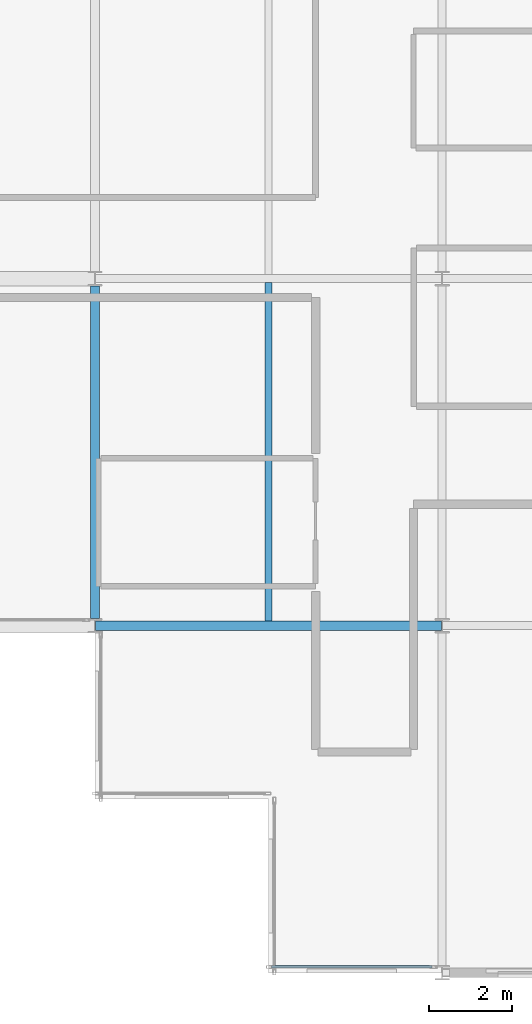
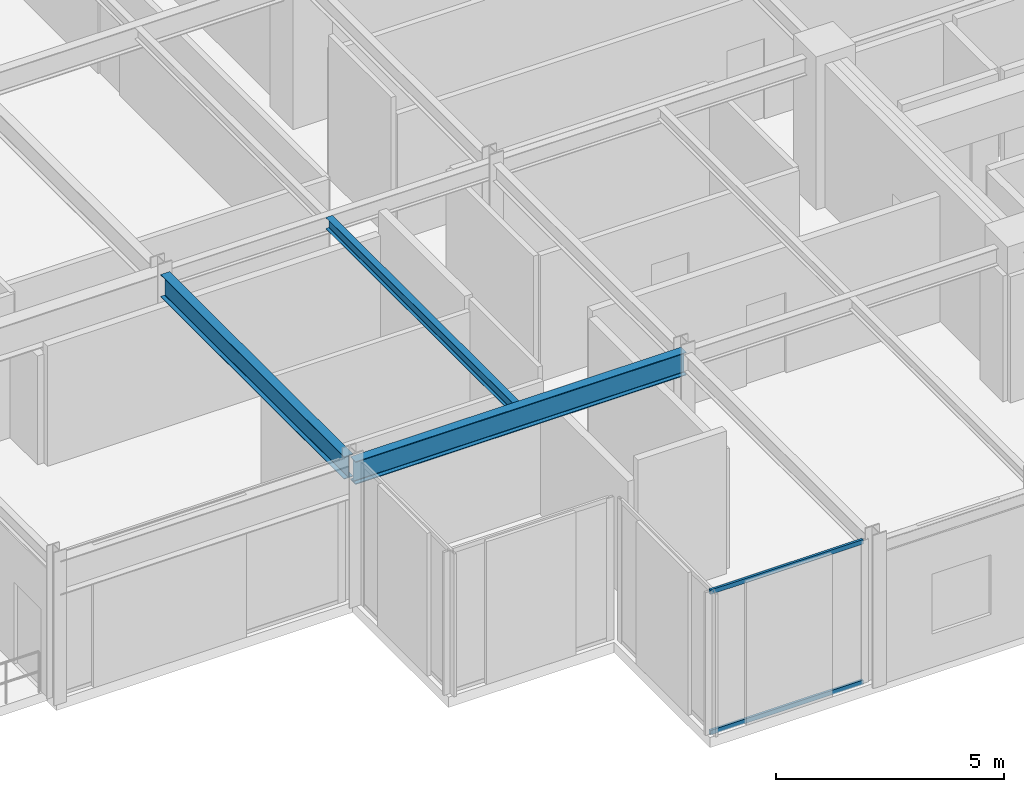
# One storey, part 5 of 29: 3 beams, 2 members, 1 element without a shape of its own.
"""IFC4 building model written with IfcOpenShell, lengths in metres."""

from ifc_helpers import new_model, si_unit, direction, frame, origin, origin_2d, place, context, subcontext, project, spatial, hollow_rectangle, i_section, extrude, material, layer, layer_set, material_profile, profile_set, type_object, element, aggregate, save


model = new_model("IFC4")

# Units and contexts
model_context = context("Model", 3, precision=1e-05, world=origin(), true_north=direction((0.0, 1.0)))
body_context = subcontext(model_context, "Body", "Model", "MODEL_VIEW")
ifc_project = project(units=[si_unit("LENGTHUNIT", "METRE"), si_unit("AREAUNIT", "SQUARE_METRE"), si_unit("VOLUMEUNIT", "CUBIC_METRE"), si_unit("PLANEANGLEUNIT", "RADIAN"), si_unit("MASSUNIT", "GRAM", prefix="KILO")], contexts=[model_context])

# Site, building, storey
site_placement = place(None, origin())
site = spatial("IfcSite", under=ifc_project, at=site_placement, CompositionType="ELEMENT")
building_placement = place(site_placement, origin())
building = spatial("IfcBuilding", under=site, at=building_placement, Name="Nerrivon Quay Data Exchange", CompositionType="ELEMENT")
storey_placement = place(building_placement, frame((0.0, 0.0, 200.10009765625)))
storey = spatial("IfcBuildingStorey", under=building, at=storey_placement, Name="L47", CompositionType="ELEMENT", Elevation=200.10009765625)

# Beams
ifc_material_1 = material(Name="Steel Grade 350", Category="steel")
ifc_material_profile_1 = material_profile(ifc_material_1, i_section(OverallWidth=0.22900390625, OverallDepth=0.612060546875, WebThickness=0.011962890625, FlangeThickness=0.01953125, FilletRadius=0.013916015625, at=origin_2d()), Name="610UB125")
ifc_profile_set_1 = profile_set([ifc_material_profile_1], Name="Steel Grade 350")
beam_type_1 = type_object("IfcBeamType", Name="BM-G1-610UB125", PredefinedType="BEAM", material=ifc_profile_set_1)
beam_1_placement = place(storey_placement, frame((0.010009765625, 8.39990234375, 3.518798828125), z_axis=(1.0, 0.0, 0.0), x_axis=(0.0, 1.0, 0.0)))
element("IfcBeam", 1, at=beam_1_placement, inside=storey, type_object=beam_type_1, Name="L47 EW Girder Y=8.4 (0.0..8.4)", PredefinedType="BEAM", context=body_context, shape_type="SweptSolid", body=[
    extrude(i_section(OverallWidth=0.22900390625, OverallDepth=0.612060546875, WebThickness=0.011962890625, FlangeThickness=0.01953125, FilletRadius=0.013916015625, at=origin_2d()), origin(), (0.0, 0.0, 1.0), 8.3798828125),
])
ifc_material_profile_2 = material_profile(ifc_material_1, i_section(OverallWidth=0.22802734375, OverallDepth=0.60205078125, WebThickness=0.010498046875, FlangeThickness=0.014892578125, FilletRadius=0.013916015625, at=origin_2d()), Name="610UB101")
ifc_profile_set_2 = profile_set([ifc_material_profile_2], Name="Steel Grade 350")
beam_type_2 = type_object("IfcBeamType", Name="BM-G2-610UB101", PredefinedType="BEAM", material=ifc_profile_set_2)
beam_2_placement = place(storey_placement, frame((0.0, 8.574951171875, 3.52392578125), z_axis=(0.0, 1.0, 0.0), x_axis=(-1.0, 0.0, 0.0)))
element("IfcBeam", 2, at=beam_2_placement, inside=storey, type_object=beam_type_2, Name="L47 NS Girder X=0.0 (8.4..16.8)", PredefinedType="BEAM", context=body_context, shape_type="SweptSolid", body=[
    extrude(i_section(OverallWidth=0.22802734375, OverallDepth=0.60205078125, WebThickness=0.010498046875, FlangeThickness=0.014892578125, FilletRadius=0.013916015625, at=origin_2d()), origin(), (0.0, 0.0, 1.0), 8.050048828125),
])
ifc_material_profile_3 = material_profile(ifc_material_1, i_section(OverallWidth=0.166015625, OverallDepth=0.306884765625, WebThickness=0.006591796875, FlangeThickness=0.01171875, FilletRadius=0.011474609375, at=origin_2d()), Name="310UB46.2")
ifc_profile_set_3 = profile_set([ifc_material_profile_3], Name="Steel Grade 350")
beam_type_3 = type_object("IfcBeamType", Name="BM-J5-310UB46", PredefinedType="JOIST", material=ifc_profile_set_3)
beam_3_placement = place(storey_placement, frame((4.199951171875, 8.514404296875, 3.67138671875), z_axis=(0.0, 1.0, 0.0), x_axis=(-1.0, 0.0, 0.0)))
element("IfcBeam", 3, at=beam_3_placement, inside=storey, type_object=beam_type_3, Name="L47 Secondary Joist X=4.2 (8.4..16.8)", PredefinedType="JOIST", context=body_context, shape_type="SweptSolid", body=[
    extrude(i_section(OverallWidth=0.166015625, OverallDepth=0.306884765625, WebThickness=0.006591796875, FlangeThickness=0.01171875, FilletRadius=0.011474609375, at=origin_2d()), origin(), (0.0, 0.0, 1.0), 8.190185546875),
])

# Curtain wall, members
ifc_material_2 = material(Name="Anodised aluminium 6063-T6", Category="aluminium")
ifc_layer = layer(ifc_material_2, 0.195068359375)
ifc_layer_set = layer_set([ifc_layer], Name="Anodised aluminium 6063-T6")
curtain_wall_type = type_object("IfcCurtainWallType", Name="CW-SYS-06", PredefinedType="NOTDEFINED", material=ifc_layer_set)
curtain_wall_placement = place(storey_placement, origin())
curtain_wall = element("IfcCurtainWall", 4, at=curtain_wall_placement, inside=storey, type_object=curtain_wall_type, Name="L47 Unitised Curtain Wall 28", PredefinedType="NOTDEFINED")
ifc_material_profile_4 = material_profile(ifc_material_2, hollow_rectangle(XDim=0.06005859375, YDim=0.1201171875, WallThickness=0.003173828125, at=origin_2d()), Name="ALU-TRAN-120x60")
ifc_profile_set_4 = profile_set([ifc_material_profile_4], Name="Anodised aluminium 6063-T6")
member_type = type_object("IfcMemberType", Name="CWT-120x60", PredefinedType="USERDEFINED", material=ifc_profile_set_4)
member_1_placement = place(storey_placement, frame((8.14990234375, 0.139892578125, 0.032470703125), z_axis=(-1.0, 0.0, 0.0), x_axis=(0.0, -1.0, 0.0)))
member_1 = element("IfcMember", 5, at=member_1_placement, type_object=member_type, Name="CW06 transom 1.1", ObjectType="TRANSOM", PredefinedType="USERDEFINED", context=body_context, shape_type="SweptSolid", body=[
    extrude(hollow_rectangle(XDim=0.06005859375, YDim=0.1201171875, WallThickness=0.003173828125, at=origin_2d()), origin(), (0.0, 0.0, 1.0), 3.875),
])
member_2_placement = place(storey_placement, frame((8.14990234375, 0.139892578125, 3.79248046875), z_axis=(-1.0, 0.0, 0.0), x_axis=(0.0, -1.0, 0.0)))
member_2 = element("IfcMember", 6, at=member_2_placement, type_object=member_type, Name="CW06 transom 1.2", ObjectType="TRANSOM", PredefinedType="USERDEFINED", context=body_context, shape_type="SweptSolid", body=[
    extrude(hollow_rectangle(XDim=0.06005859375, YDim=0.1201171875, WallThickness=0.003173828125, at=origin_2d()), origin(), (0.0, 0.0, 1.0), 3.875),
])
aggregate(curtain_wall, [member_1, member_2])

save(model, "model.ifc")
